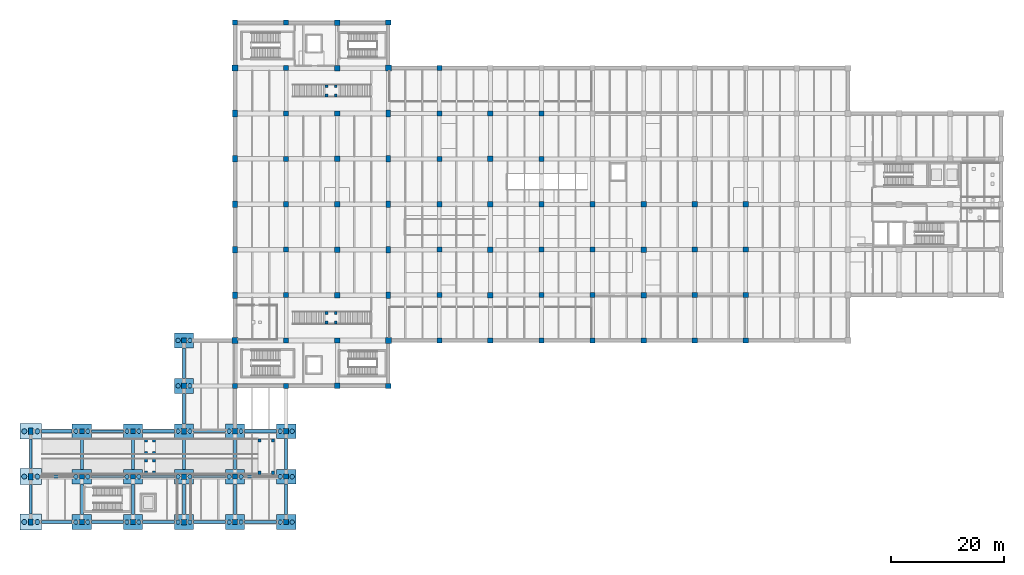
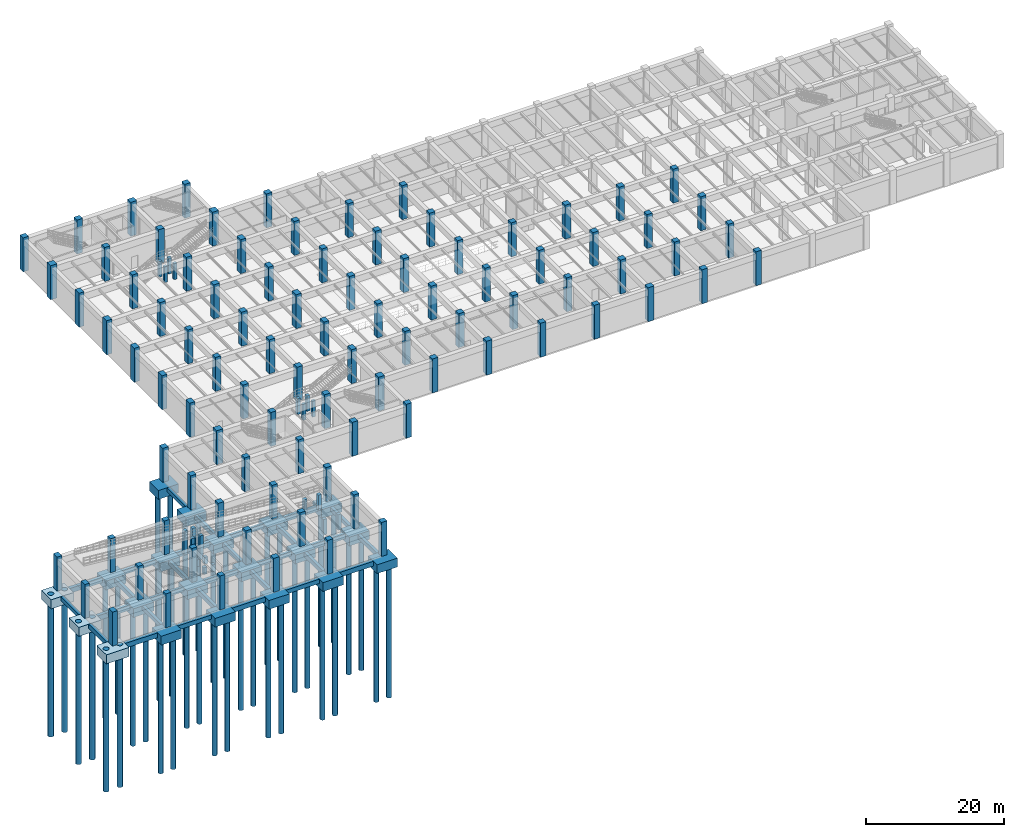
# One storey, part 1 of 20: 111 columns, 49 footings, 40 piles.
"""IFC4 building model written with IfcOpenShell, lengths in metres."""

from ifc_helpers import new_model, si_unit, derived_unit, direction, frame, origin, origin_2d, place, context, subcontext, project, spatial, rectangle, circle, extrude, material, material_profile, profile_set, type_object, element, save


model = new_model("IFC4")

# Units and contexts
model_context = context("Model", 3, precision=1e-05, world=origin(), true_north=direction((0.0, 1.0)))
body_context = subcontext(model_context, "Body", "Model", "MODEL_VIEW")
ifc_project = project(units=[si_unit("LENGTHUNIT", "METRE"), si_unit("AREAUNIT", "SQUARE_METRE"), si_unit("VOLUMEUNIT", "CUBIC_METRE"), si_unit("PLANEANGLEUNIT", "RADIAN"), si_unit("MASSUNIT", "GRAM", prefix="KILO"), derived_unit("THERMALTRANSMITTANCEUNIT", [(si_unit("MASSUNIT", "GRAM", prefix="KILO"), 1), (si_unit("TIMEUNIT", "SECOND"), -3), (si_unit("THERMODYNAMICTEMPERATUREUNIT", "KELVIN"), -1)])], contexts=[model_context])

# Site, building, storey
site_placement = place(None, origin())
site = spatial("IfcSite", under=ifc_project, at=site_placement, CompositionType="ELEMENT")
building_placement = place(site_placement, origin())
building = spatial("IfcBuilding", under=site, at=building_placement, Name="Zhenchuan Archway Interchange", CompositionType="ELEMENT")
storey_placement = place(building_placement, frame((0.0, 0.0, -6.0)))
storey = spatial("IfcBuildingStorey", under=building, at=storey_placement, Name="B1", CompositionType="ELEMENT", Elevation=-6.0)

# Footings
ifc_material_1 = material(Name="Concrete C40", Category="concrete")
ifc_material_profile_1 = material_profile(ifc_material_1, rectangle(XDim=0.550048828125, YDim=0.85009765625, at=origin_2d()), Name="RC 550x850")
ifc_profile_set_1 = profile_set([ifc_material_profile_1], Name="Concrete C40")
footing_type_1 = type_object("IfcFootingType", Name="FB_GROUND_3", PredefinedType="FOOTING_BEAM", material=ifc_profile_set_1)
footing_1_placement = place(storey_placement, frame((1.89990234375, 0.0, -0.925048828125), z_axis=(1.0, 0.0, 0.0), x_axis=(0.0, 1.0, 0.0)))
element("IfcFooting", 1, at=footing_1_placement, inside=storey, type_object=footing_type_1, Name="Ground tie beam A:1-2 (B1)", PredefinedType="FOOTING_BEAM", context=body_context, shape_type="SweptSolid", body=[
    extrude(rectangle(XDim=0.550048828125, YDim=0.85009765625, at=origin_2d()), origin(), (0.0, 0.0, 1.0), 5.400146484375),
])
for number, where, z_axis, x_axis, name in (
    (2, (19.699951171875, 0.0, -0.925048828125), (1.0, 0.0, 0.0), (0.0, 1.0, 0.0), "Ground tie beam A:3-4 (B1)"),
    (3, (37.699951171875, 0.0, -0.925048828125), (1.0, 0.0, 0.0), (0.0, 1.0, 0.0), "Ground tie beam A:5-6 (B1)"),
):
    element("IfcFooting", number, at=place(storey_placement, frame(where, z_axis=z_axis, x_axis=x_axis)), inside=storey, type_object=footing_type_1, Name=name, PredefinedType="FOOTING_BEAM", context=body_context, shape_type="SweptSolid", body=[
        extrude(rectangle(XDim=0.550048828125, YDim=0.85009765625, at=origin_2d()), origin(), (0.0, 0.0, 1.0), 5.60009765625),
    ])
footing_2_placement = place(storey_placement, frame((1.89990234375, 8.0, -0.925048828125), z_axis=(1.0, 0.0, 0.0), x_axis=(0.0, 1.0, 0.0)))
element("IfcFooting", 4, at=footing_2_placement, inside=storey, type_object=footing_type_1, Name="Ground tie beam B:1-2 (B1)", PredefinedType="FOOTING_BEAM", context=body_context, shape_type="SweptSolid", body=[
    extrude(rectangle(XDim=0.550048828125, YDim=0.85009765625, at=origin_2d()), origin(), (0.0, 0.0, 1.0), 5.400146484375),
])
for number, where, z_axis, x_axis, name in (
    (5, (19.699951171875, 8.0, -0.925048828125), (1.0, 0.0, 0.0), (0.0, 1.0, 0.0), "Ground tie beam B:3-4 (B1)"),
    (6, (37.699951171875, 8.0, -0.925048828125), (1.0, 0.0, 0.0), (0.0, 1.0, 0.0), "Ground tie beam B:5-6 (B1)"),
):
    element("IfcFooting", number, at=place(storey_placement, frame(where, z_axis=z_axis, x_axis=x_axis)), inside=storey, type_object=footing_type_1, Name=name, PredefinedType="FOOTING_BEAM", context=body_context, shape_type="SweptSolid", body=[
        extrude(rectangle(XDim=0.550048828125, YDim=0.85009765625, at=origin_2d()), origin(), (0.0, 0.0, 1.0), 5.60009765625),
    ])
footing_3_placement = place(storey_placement, frame((1.89990234375, 16.0, -0.925048828125), z_axis=(1.0, 0.0, 0.0), x_axis=(0.0, 1.0, 0.0)))
element("IfcFooting", 7, at=footing_3_placement, inside=storey, type_object=footing_type_1, Name="Ground tie beam C:1-2 (B1)", PredefinedType="FOOTING_BEAM", context=body_context, shape_type="SweptSolid", body=[
    extrude(rectangle(XDim=0.550048828125, YDim=0.85009765625, at=origin_2d()), origin(), (0.0, 0.0, 1.0), 5.400146484375),
])
for number, where, z_axis, x_axis, name in (
    (8, (19.699951171875, 16.0, -0.925048828125), (1.0, 0.0, 0.0), (0.0, 1.0, 0.0), "Ground tie beam C:3-4 (B1)"),
    (9, (37.699951171875, 16.0, -0.925048828125), (1.0, 0.0, 0.0), (0.0, 1.0, 0.0), "Ground tie beam C:5-6 (B1)"),
):
    element("IfcFooting", number, at=place(storey_placement, frame(where, z_axis=z_axis, x_axis=x_axis)), inside=storey, type_object=footing_type_1, Name=name, PredefinedType="FOOTING_BEAM", context=body_context, shape_type="SweptSolid", body=[
        extrude(rectangle(XDim=0.550048828125, YDim=0.85009765625, at=origin_2d()), origin(), (0.0, 0.0, 1.0), 5.60009765625),
    ])
ifc_material_profile_2 = material_profile(ifc_material_1, rectangle(XDim=0.5, YDim=0.75, at=origin_2d()), Name="RC 500x750")
ifc_profile_set_2 = profile_set([ifc_material_profile_2], Name="Concrete C40")
footing_type_2 = type_object("IfcFootingType", Name="FB_GROUND_4", PredefinedType="FOOTING_BEAM", material=ifc_profile_set_2)
for number, where, z_axis, x_axis, name in (
    (10, (10.699951171875, 0.0, -0.875), (1.0, 0.0, 0.0), (0.0, 1.0, 0.0), "Ground tie beam A:2-3 (B1)"),
    (11, (28.699951171875, 0.0, -0.875), (1.0, 0.0, 0.0), (0.0, 1.0, 0.0), "Ground tie beam A:4-5 (B1)"),
    (12, (10.699951171875, 8.0, -0.875), (1.0, 0.0, 0.0), (0.0, 1.0, 0.0), "Ground tie beam B:2-3 (B1)"),
    (13, (28.699951171875, 8.0, -0.875), (1.0, 0.0, 0.0), (0.0, 1.0, 0.0), "Ground tie beam B:4-5 (B1)"),
    (14, (10.699951171875, 16.0, -0.875), (1.0, 0.0, 0.0), (0.0, 1.0, 0.0), "Ground tie beam C:2-3 (B1)"),
    (15, (28.699951171875, 16.0, -0.875), (1.0, 0.0, 0.0), (0.0, 1.0, 0.0), "Ground tie beam C:4-5 (B1)"),
):
    element("IfcFooting", number, at=place(storey_placement, frame(where, z_axis=z_axis, x_axis=x_axis)), inside=storey, type_object=footing_type_2, Name=name, PredefinedType="FOOTING_BEAM", context=body_context, shape_type="SweptSolid", body=[
        extrude(rectangle(XDim=0.5, YDim=0.75, at=origin_2d()), origin(), (0.0, 0.0, 1.0), 5.60009765625),
    ])
for number, where, z_axis, x_axis, name in (
    (16, (0.0, 1.39990234375, -0.875), (0.0, 1.0, 0.0), (-1.0, 0.0, 0.0), "Ground tie beam 1:A-B (B1)"),
    (17, (0.0, 9.39990234375, -0.875), (0.0, 1.0, 0.0), (-1.0, 0.0, 0.0), "Ground tie beam 1:B-C (B1)"),
):
    element("IfcFooting", number, at=place(storey_placement, frame(where, z_axis=z_axis, x_axis=x_axis)), inside=storey, type_object=footing_type_2, Name=name, PredefinedType="FOOTING_BEAM", context=body_context, shape_type="SweptSolid", body=[
        extrude(rectangle(XDim=0.5, YDim=0.75, at=origin_2d()), origin(), (0.0, 0.0, 1.0), 5.2001953125),
    ])
for number, where, z_axis, x_axis, name in (
    (18, (9.0, 1.300048828125, -0.875), (0.0, 1.0, 0.0), (-1.0, 0.0, 0.0), "Ground tie beam 2:A-B (B1)"),
    (19, (9.0, 9.300048828125, -0.875), (0.0, 1.0, 0.0), (-1.0, 0.0, 0.0), "Ground tie beam 2:B-C (B1)"),
    (20, (18.0, 1.300048828125, -0.875), (0.0, 1.0, 0.0), (-1.0, 0.0, 0.0), "Ground tie beam 3:A-B (B1)"),
    (21, (18.0, 9.300048828125, -0.875), (0.0, 1.0, 0.0), (-1.0, 0.0, 0.0), "Ground tie beam 3:B-C (B1)"),
    (22, (27.0, 1.300048828125, -0.875), (0.0, 1.0, 0.0), (-1.0, 0.0, 0.0), "Ground tie beam 4:A-B (B1)"),
    (23, (27.0, 9.300048828125, -0.875), (0.0, 1.0, 0.0), (-1.0, 0.0, 0.0), "Ground tie beam 4:B-C (B1)"),
    (24, (27.0, 17.300048828125, -0.875), (0.0, 1.0, 0.0), (-1.0, 0.0, 0.0), "Ground tie beam 4:C-D (B1)"),
    (25, (27.0, 25.300048828125, -0.875), (0.0, 1.0, 0.0), (-1.0, 0.0, 0.0), "Ground tie beam 4:D-E (B1)"),
    (26, (36.0, 1.300048828125, -0.875), (0.0, 1.0, 0.0), (-1.0, 0.0, 0.0), "Ground tie beam 5:A-B (B1)"),
    (27, (36.0, 9.300048828125, -0.875), (0.0, 1.0, 0.0), (-1.0, 0.0, 0.0), "Ground tie beam 5:B-C (B1)"),
    (28, (45.0, 1.300048828125, -0.875), (0.0, 1.0, 0.0), (-1.0, 0.0, 0.0), "Ground tie beam 6:A-B (B1)"),
    (29, (45.0, 9.300048828125, -0.875), (0.0, 1.0, 0.0), (-1.0, 0.0, 0.0), "Ground tie beam 6:B-C (B1)"),
):
    element("IfcFooting", number, at=place(storey_placement, frame(where, z_axis=z_axis, x_axis=x_axis)), inside=storey, type_object=footing_type_2, Name=name, PredefinedType="FOOTING_BEAM", context=body_context, shape_type="SweptSolid", body=[
        extrude(rectangle(XDim=0.5, YDim=0.75, at=origin_2d()), origin(), (0.0, 0.0, 1.0), 5.39990234375),
    ])
footing_type_3 = type_object("IfcFootingType", Name="PC_P_34x26", PredefinedType="PILE_CAP", material=ifc_material_1)
for number, where, z_axis, x_axis, name in (
    (30, (9.0, 0.0, -2.0498046875), (0.0, 0.0, 1.0), (1.0, 0.0, 0.0), "Pile cap PC-11 at 2/A (B1)"),
    (31, (9.0, 8.0, -2.0498046875), (0.0, 0.0, 1.0), (1.0, 0.0, 0.0), "Pile cap PC-11 at 2/B (B1)"),
    (32, (9.0, 16.0, -2.0498046875), (0.0, 0.0, 1.0), (1.0, 0.0, 0.0), "Pile cap PC-11 at 2/C (B1)"),
    (33, (18.0, 0.0, -2.0498046875), (0.0, 0.0, 1.0), (1.0, 0.0, 0.0), "Pile cap PC-11 at 3/A (B1)"),
    (34, (18.0, 8.0, -2.0498046875), (0.0, 0.0, 1.0), (1.0, 0.0, 0.0), "Pile cap PC-11 at 3/B (B1)"),
    (35, (18.0, 16.0, -2.0498046875), (0.0, 0.0, 1.0), (1.0, 0.0, 0.0), "Pile cap PC-11 at 3/C (B1)"),
    (36, (27.0, 0.0, -2.0498046875), (0.0, 0.0, 1.0), (1.0, 0.0, 0.0), "Pile cap PC-11 at 4/A (B1)"),
    (37, (27.0, 8.0, -2.0498046875), (0.0, 0.0, 1.0), (1.0, 0.0, 0.0), "Pile cap PC-11 at 4/B (B1)"),
    (38, (27.0, 16.0, -2.0498046875), (0.0, 0.0, 1.0), (1.0, 0.0, 0.0), "Pile cap PC-11 at 4/C (B1)"),
    (39, (27.0, 24.0, -2.0498046875), (0.0, 0.0, 1.0), (1.0, 0.0, 0.0), "Pile cap PC-11 at 4/D (B1)"),
    (40, (27.0, 32.0, -2.0498046875), (0.0, 0.0, 1.0), (1.0, 0.0, 0.0), "Pile cap PC-11 at 4/E (B1)"),
    (41, (36.0, 0.0, -2.0498046875), (0.0, 0.0, 1.0), (1.0, 0.0, 0.0), "Pile cap PC-11 at 5/A (B1)"),
    (42, (36.0, 8.0, -2.0498046875), (0.0, 0.0, 1.0), (1.0, 0.0, 0.0), "Pile cap PC-11 at 5/B (B1)"),
    (43, (36.0, 16.0, -2.0498046875), (0.0, 0.0, 1.0), (1.0, 0.0, 0.0), "Pile cap PC-11 at 5/C (B1)"),
    (44, (45.0, 0.0, -2.0498046875), (0.0, 0.0, 1.0), (1.0, 0.0, 0.0), "Pile cap PC-11 at 6/A (B1)"),
    (45, (45.0, 8.0, -2.0498046875), (0.0, 0.0, 1.0), (1.0, 0.0, 0.0), "Pile cap PC-11 at 6/B (B1)"),
    (46, (45.0, 16.0, -2.0498046875), (0.0, 0.0, 1.0), (1.0, 0.0, 0.0), "Pile cap PC-11 at 6/C (B1)"),
):
    element("IfcFooting", number, at=place(storey_placement, frame(where, z_axis=z_axis, x_axis=x_axis)), inside=storey, type_object=footing_type_3, Name=name, PredefinedType="PILE_CAP", context=body_context, shape_type="SweptSolid", body=[
        extrude(rectangle(XDim=3.39990234375, YDim=2.60009765625, at=origin_2d()), origin(), (0.0, 0.0, 1.0), 1.550048828125),
    ])
footing_type_4 = type_object("IfcFootingType", Name="PC_P_38x28", PredefinedType="PILE_CAP", material=ifc_material_1)
for number, where, z_axis, x_axis, name in (
    (47, (0.0, 0.0, -2.10009765625), (0.0, 0.0, 1.0), (1.0, 0.0, 0.0), "Pile cap PC-10 at 1/A (B1)"),
    (48, (0.0, 8.0, -2.10009765625), (0.0, 0.0, 1.0), (1.0, 0.0, 0.0), "Pile cap PC-10 at 1/B (B1)"),
    (49, (0.0, 16.0, -2.10009765625), (0.0, 0.0, 1.0), (1.0, 0.0, 0.0), "Pile cap PC-10 at 1/C (B1)"),
):
    element("IfcFooting", number, at=place(storey_placement, frame(where, z_axis=z_axis, x_axis=x_axis)), inside=storey, type_object=footing_type_4, Name=name, PredefinedType="PILE_CAP", context=body_context, shape_type="SweptSolid", body=[
        extrude(rectangle(XDim=3.800048828125, YDim=2.800048828125, at=origin_2d()), origin(), (0.0, 0.0, 1.0), 1.60009765625),
    ])

# Piles
ifc_material_2 = material(Name="Concrete C35", Category="concrete")
ifc_material_profile_3 = material_profile(ifc_material_2, circle(Radius=0.39990234375, at=origin_2d()), Name="BORED PILE 800")
ifc_profile_set_3 = profile_set([ifc_material_profile_3], Name="Concrete C35")
pile_type_1 = type_object("IfcPileType", Name="PILE_D800", PredefinedType="BORED", material=ifc_profile_set_3)
for number, where, z_axis, x_axis, name in (
    (50, (7.949951171875, 0.0, -0.5), (0.0, 0.0, -1.0), (1.0, 0.0, 0.0), "Bored pile at 2/A #1 (B1)"),
    (51, (10.050048828125, 0.0, -0.5), (0.0, 0.0, -1.0), (1.0, 0.0, 0.0), "Bored pile at 2/A #2 (B1)"),
    (52, (7.949951171875, 8.0, -0.5), (0.0, 0.0, -1.0), (1.0, 0.0, 0.0), "Bored pile at 2/B #1 (B1)"),
    (53, (10.050048828125, 8.0, -0.5), (0.0, 0.0, -1.0), (1.0, 0.0, 0.0), "Bored pile at 2/B #2 (B1)"),
    (54, (7.949951171875, 16.0, -0.5), (0.0, 0.0, -1.0), (1.0, 0.0, 0.0), "Bored pile at 2/C #1 (B1)"),
    (55, (10.050048828125, 16.0, -0.5), (0.0, 0.0, -1.0), (1.0, 0.0, 0.0), "Bored pile at 2/C #2 (B1)"),
    (56, (16.949951171875, 0.0, -0.5), (0.0, 0.0, -1.0), (1.0, 0.0, 0.0), "Bored pile at 3/A #1 (B1)"),
    (57, (19.050048828125, 0.0, -0.5), (0.0, 0.0, -1.0), (1.0, 0.0, 0.0), "Bored pile at 3/A #2 (B1)"),
    (58, (16.949951171875, 8.0, -0.5), (0.0, 0.0, -1.0), (1.0, 0.0, 0.0), "Bored pile at 3/B #1 (B1)"),
    (59, (19.050048828125, 8.0, -0.5), (0.0, 0.0, -1.0), (1.0, 0.0, 0.0), "Bored pile at 3/B #2 (B1)"),
    (60, (16.949951171875, 16.0, -0.5), (0.0, 0.0, -1.0), (1.0, 0.0, 0.0), "Bored pile at 3/C #1 (B1)"),
    (61, (19.050048828125, 16.0, -0.5), (0.0, 0.0, -1.0), (1.0, 0.0, 0.0), "Bored pile at 3/C #2 (B1)"),
    (62, (25.949951171875, 0.0, -0.5), (0.0, 0.0, -1.0), (1.0, 0.0, 0.0), "Bored pile at 4/A #1 (B1)"),
    (63, (28.050048828125, 0.0, -0.5), (0.0, 0.0, -1.0), (1.0, 0.0, 0.0), "Bored pile at 4/A #2 (B1)"),
    (64, (25.949951171875, 8.0, -0.5), (0.0, 0.0, -1.0), (1.0, 0.0, 0.0), "Bored pile at 4/B #1 (B1)"),
    (65, (28.050048828125, 8.0, -0.5), (0.0, 0.0, -1.0), (1.0, 0.0, 0.0), "Bored pile at 4/B #2 (B1)"),
    (66, (25.949951171875, 16.0, -0.5), (0.0, 0.0, -1.0), (1.0, 0.0, 0.0), "Bored pile at 4/C #1 (B1)"),
    (67, (28.050048828125, 16.0, -0.5), (0.0, 0.0, -1.0), (1.0, 0.0, 0.0), "Bored pile at 4/C #2 (B1)"),
    (68, (25.949951171875, 24.0, -0.5), (0.0, 0.0, -1.0), (1.0, 0.0, 0.0), "Bored pile at 4/D #1 (B1)"),
    (69, (28.050048828125, 24.0, -0.5), (0.0, 0.0, -1.0), (1.0, 0.0, 0.0), "Bored pile at 4/D #2 (B1)"),
    (70, (25.949951171875, 32.0, -0.5), (0.0, 0.0, -1.0), (1.0, 0.0, 0.0), "Bored pile at 4/E #1 (B1)"),
    (71, (28.050048828125, 32.0, -0.5), (0.0, 0.0, -1.0), (1.0, 0.0, 0.0), "Bored pile at 4/E #2 (B1)"),
    (72, (34.949951171875, 0.0, -0.5), (0.0, 0.0, -1.0), (1.0, 0.0, 0.0), "Bored pile at 5/A #1 (B1)"),
    (73, (37.050048828125, 0.0, -0.5), (0.0, 0.0, -1.0), (1.0, 0.0, 0.0), "Bored pile at 5/A #2 (B1)"),
    (74, (34.949951171875, 8.0, -0.5), (0.0, 0.0, -1.0), (1.0, 0.0, 0.0), "Bored pile at 5/B #1 (B1)"),
    (75, (37.050048828125, 8.0, -0.5), (0.0, 0.0, -1.0), (1.0, 0.0, 0.0), "Bored pile at 5/B #2 (B1)"),
    (76, (34.949951171875, 16.0, -0.5), (0.0, 0.0, -1.0), (1.0, 0.0, 0.0), "Bored pile at 5/C #1 (B1)"),
    (77, (37.050048828125, 16.0, -0.5), (0.0, 0.0, -1.0), (1.0, 0.0, 0.0), "Bored pile at 5/C #2 (B1)"),
    (78, (43.949951171875, 0.0, -0.5), (0.0, 0.0, -1.0), (1.0, 0.0, 0.0), "Bored pile at 6/A #1 (B1)"),
    (79, (46.050048828125, 0.0, -0.5), (0.0, 0.0, -1.0), (1.0, 0.0, 0.0), "Bored pile at 6/A #2 (B1)"),
    (80, (43.949951171875, 8.0, -0.5), (0.0, 0.0, -1.0), (1.0, 0.0, 0.0), "Bored pile at 6/B #1 (B1)"),
    (81, (46.050048828125, 8.0, -0.5), (0.0, 0.0, -1.0), (1.0, 0.0, 0.0), "Bored pile at 6/B #2 (B1)"),
    (82, (43.949951171875, 16.0, -0.5), (0.0, 0.0, -1.0), (1.0, 0.0, 0.0), "Bored pile at 6/C #1 (B1)"),
    (83, (46.050048828125, 16.0, -0.5), (0.0, 0.0, -1.0), (1.0, 0.0, 0.0), "Bored pile at 6/C #2 (B1)"),
):
    element("IfcPile", number, at=place(storey_placement, frame(where, z_axis=z_axis, x_axis=x_axis)), inside=storey, type_object=pile_type_1, Name=name, PredefinedType="BORED", context=body_context, shape_type="SweptSolid", body=[
        extrude(circle(Radius=0.39990234375, at=origin_2d()), origin(), (0.0, 0.0, 1.0), 25.0),
    ])
ifc_material_profile_4 = material_profile(ifc_material_2, circle(Radius=0.449951171875, at=origin_2d()), Name="BORED PILE 900")
ifc_profile_set_4 = profile_set([ifc_material_profile_4], Name="Concrete C35")
pile_type_2 = type_object("IfcPileType", Name="PILE_D900", PredefinedType="BORED", material=ifc_profile_set_4)
for number, where, z_axis, x_axis, name in (
    (84, (-1.14990234375, 0.0, -0.5), (0.0, 0.0, -1.0), (1.0, 0.0, 0.0), "Bored pile at 1/A #1 (B1)"),
    (85, (1.14990234375, 0.0, -0.5), (0.0, 0.0, -1.0), (1.0, 0.0, 0.0), "Bored pile at 1/A #2 (B1)"),
    (86, (-1.14990234375, 8.0, -0.5), (0.0, 0.0, -1.0), (1.0, 0.0, 0.0), "Bored pile at 1/B #1 (B1)"),
    (87, (1.14990234375, 8.0, -0.5), (0.0, 0.0, -1.0), (1.0, 0.0, 0.0), "Bored pile at 1/B #2 (B1)"),
    (88, (-1.14990234375, 16.0, -0.5), (0.0, 0.0, -1.0), (1.0, 0.0, 0.0), "Bored pile at 1/C #1 (B1)"),
    (89, (1.14990234375, 16.0, -0.5), (0.0, 0.0, -1.0), (1.0, 0.0, 0.0), "Bored pile at 1/C #2 (B1)"),
):
    element("IfcPile", number, at=place(storey_placement, frame(where, z_axis=z_axis, x_axis=x_axis)), inside=storey, type_object=pile_type_2, Name=name, PredefinedType="BORED", context=body_context, shape_type="SweptSolid", body=[
        extrude(circle(Radius=0.449951171875, at=origin_2d()), origin(), (0.0, 0.0, 1.0), 25.0),
    ])

# Columns
ifc_material_3 = material(Name="Concrete C50", Category="concrete")
ifc_material_profile_5 = material_profile(ifc_material_3, rectangle(XDim=1.050048828125, YDim=1.050048828125, at=origin_2d()), Name="RC 1050x1050")
ifc_profile_set_5 = profile_set([ifc_material_profile_5], Name="Concrete C50")
column_type_1 = type_object("IfcColumnType", Name="COL_RC_1050", PredefinedType="COLUMN", material=ifc_profile_set_5)
for number, where, z_axis, x_axis, name in (
    (90, (36.0, 32.0, 0.0), (0.0, 0.0, 1.0), (1.0, 0.0, 0.0), "Column 5/E (B1)"),
    (91, (36.0, 80.0, 0.0), (0.0, 0.0, 1.0), (1.0, 0.0, 0.0), "Column 5/L (B1)"),
    (92, (63.0, 32.0, 0.0), (0.0, 0.0, 1.0), (1.0, 0.0, 0.0), "Column 8/E (B1)"),
    (93, (63.0, 80.0, 0.0), (0.0, 0.0, 1.0), (1.0, 0.0, 0.0), "Column 8/L (B1)"),
):
    element("IfcColumn", number, at=place(storey_placement, frame(where, z_axis=z_axis, x_axis=x_axis)), inside=storey, type_object=column_type_1, Name=name, PredefinedType="COLUMN", context=body_context, shape_type="SweptSolid", body=[
        extrude(rectangle(XDim=1.050048828125, YDim=1.050048828125, at=origin_2d()), origin(), (0.0, 0.0, 1.0), 6.0),
    ])
ifc_material_profile_6 = material_profile(ifc_material_1, rectangle(XDim=0.5, YDim=0.5, at=origin_2d()), Name="RC 500x500")
ifc_profile_set_6 = profile_set([ifc_material_profile_6], Name="Concrete C40")
column_type_2 = type_object("IfcColumnType", Name="COL_RC_500_LND", PredefinedType="COLUMN", material=ifc_profile_set_6)
for number, where, z_axis, x_axis, name in (
    (94, (52.1298828125, 35.175048828125, 0.0), (0.0, 0.0, 1.0), (1.0, 0.0, 0.0), "Stair ST-P3 landing support column 1"),
    (95, (53.72998046875, 35.175048828125, 0.0), (0.0, 0.0, 1.0), (1.0, 0.0, 0.0), "Stair ST-P3 landing support column 2"),
    (96, (52.1298828125, 36.824951171875, 0.0), (0.0, 0.0, 1.0), (1.0, 0.0, 0.0), "Stair ST-P3 landing support column 3"),
    (97, (53.72998046875, 36.824951171875, 0.0), (0.0, 0.0, 1.0), (1.0, 0.0, 0.0), "Stair ST-P3 landing support column 4"),
    (98, (52.1298828125, 75.199951171875, 0.0), (0.0, 0.0, 1.0), (1.0, 0.0, 0.0), "Stair ST-P4 landing support column 1"),
    (99, (53.72998046875, 75.199951171875, 0.0), (0.0, 0.0, 1.0), (1.0, 0.0, 0.0), "Stair ST-P4 landing support column 2"),
    (100, (52.1298828125, 76.800048828125, 0.0), (0.0, 0.0, 1.0), (1.0, 0.0, 0.0), "Stair ST-P4 landing support column 3"),
    (101, (53.72998046875, 76.800048828125, 0.0), (0.0, 0.0, 1.0), (1.0, 0.0, 0.0), "Stair ST-P4 landing support column 4"),
):
    element("IfcColumn", number, at=place(storey_placement, frame(where, z_axis=z_axis, x_axis=x_axis)), inside=storey, type_object=column_type_2, Name=name, PredefinedType="COLUMN", context=body_context, shape_type="SweptSolid", body=[
        extrude(rectangle(XDim=0.5, YDim=0.5, at=origin_2d()), origin(), (0.0, 0.0, 1.0), 2.780029296875),
    ])
ifc_material_profile_7 = material_profile(ifc_material_1, rectangle(XDim=0.550048828125, YDim=0.550048828125, at=origin_2d()), Name="RC 550x550")
ifc_profile_set_7 = profile_set([ifc_material_profile_7], Name="Concrete C40")
column_type_3 = type_object("IfcColumnType", Name="COL_RC_550_LND", PredefinedType="COLUMN", material=ifc_profile_set_7)
for number, where, z_axis, x_axis, name in (
    (102, (20.300048828125, 8.699951171875, 0.0), (0.0, 0.0, 1.0), (1.0, 0.0, 0.0), "Cycle ramp landing 1 column 1"),
    (103, (21.699951171875, 8.699951171875, 0.0), (0.0, 0.0, 1.0), (1.0, 0.0, 0.0), "Cycle ramp landing 1 column 2"),
    (104, (20.300048828125, 10.89990234375, 0.0), (0.0, 0.0, 1.0), (1.0, 0.0, 0.0), "Cycle ramp landing 1 column 3"),
    (105, (21.699951171875, 10.89990234375, 0.0), (0.0, 0.0, 1.0), (1.0, 0.0, 0.0), "Cycle ramp landing 1 column 4"),
):
    element("IfcColumn", number, at=place(storey_placement, frame(where, z_axis=z_axis, x_axis=x_axis)), inside=storey, type_object=column_type_3, Name=name, PredefinedType="COLUMN", context=body_context, shape_type="SweptSolid", body=[
        extrude(rectangle(XDim=0.550048828125, YDim=0.550048828125, at=origin_2d()), origin(), (0.0, 0.0, 1.0), 1.219970703125),
    ])
for number, where, z_axis, x_axis, name in (
    (106, (40.300048828125, 8.699951171875, 0.0), (0.0, 0.0, 1.0), (1.0, 0.0, 0.0), "Cycle ramp landing 2 column 1"),
    (107, (42.699951171875, 8.699951171875, 0.0), (0.0, 0.0, 1.0), (1.0, 0.0, 0.0), "Cycle ramp landing 2 column 2"),
    (108, (40.300048828125, 14.39990234375, 0.0), (0.0, 0.0, 1.0), (1.0, 0.0, 0.0), "Cycle ramp landing 2 column 3"),
    (109, (42.699951171875, 14.39990234375, 0.0), (0.0, 0.0, 1.0), (1.0, 0.0, 0.0), "Cycle ramp landing 2 column 4"),
):
    element("IfcColumn", number, at=place(storey_placement, frame(where, z_axis=z_axis, x_axis=x_axis)), inside=storey, type_object=column_type_3, Name=name, PredefinedType="COLUMN", context=body_context, shape_type="SweptSolid", body=[
        extrude(rectangle(XDim=0.550048828125, YDim=0.550048828125, at=origin_2d()), origin(), (0.0, 0.0, 1.0), 2.719970703125),
    ])
for number, where, z_axis, x_axis, name in (
    (110, (20.300048828125, 12.199951171875, 0.0), (0.0, 0.0, 1.0), (1.0, 0.0, 0.0), "Cycle ramp landing 3 column 1"),
    (111, (21.699951171875, 12.199951171875, 0.0), (0.0, 0.0, 1.0), (1.0, 0.0, 0.0), "Cycle ramp landing 3 column 2"),
    (112, (20.300048828125, 14.39990234375, 0.0), (0.0, 0.0, 1.0), (1.0, 0.0, 0.0), "Cycle ramp landing 3 column 3"),
    (113, (21.699951171875, 14.39990234375, 0.0), (0.0, 0.0, 1.0), (1.0, 0.0, 0.0), "Cycle ramp landing 3 column 4"),
):
    element("IfcColumn", number, at=place(storey_placement, frame(where, z_axis=z_axis, x_axis=x_axis)), inside=storey, type_object=column_type_3, Name=name, PredefinedType="COLUMN", context=body_context, shape_type="SweptSolid", body=[
        extrude(rectangle(XDim=0.550048828125, YDim=0.550048828125, at=origin_2d()), origin(), (0.0, 0.0, 1.0), 4.219970703125),
    ])
ifc_material_profile_8 = material_profile(ifc_material_3, rectangle(XDim=0.800048828125, YDim=1.10009765625, at=origin_2d()), Name="RC 800x1100")
ifc_profile_set_8 = profile_set([ifc_material_profile_8], Name="Concrete C50")
column_type_4 = type_object("IfcColumnType", Name="COL_RC_800x1100", PredefinedType="COLUMN", material=ifc_profile_set_8)
for number, where, z_axis, x_axis, name in (
    (114, (0.0, 0.0, 0.0), (0.0, 0.0, 1.0), (1.0, 0.0, 0.0), "Column 1/A (B1)"),
    (115, (0.0, 8.0, 0.0), (0.0, 0.0, 1.0), (1.0, 0.0, 0.0), "Column 1/B (B1)"),
    (116, (0.0, 16.0, 0.0), (0.0, 0.0, 1.0), (1.0, 0.0, 0.0), "Column 1/C (B1)"),
):
    element("IfcColumn", number, at=place(storey_placement, frame(where, z_axis=z_axis, x_axis=x_axis)), inside=storey, type_object=column_type_4, Name=name, PredefinedType="COLUMN", context=body_context, shape_type="SweptSolid", body=[
        extrude(rectangle(XDim=0.800048828125, YDim=1.10009765625, at=origin_2d()), origin(), (0.0, 0.0, 1.0), 6.0),
    ])
ifc_material_profile_9 = material_profile(ifc_material_1, rectangle(XDim=0.85009765625, YDim=0.85009765625, at=origin_2d()), Name="RC 850x850")
ifc_profile_set_9 = profile_set([ifc_material_profile_9], Name="Concrete C40")
column_type_5 = type_object("IfcColumnType", Name="COL_RC_850", PredefinedType="COLUMN", material=ifc_profile_set_9)
for number, where, z_axis, x_axis, name in (
    (117, (9.0, 0.0, 0.0), (0.0, 0.0, 1.0), (1.0, 0.0, 0.0), "Column 2/A (B1)"),
    (118, (9.0, 8.0, 0.0), (0.0, 0.0, 1.0), (1.0, 0.0, 0.0), "Column 2/B (B1)"),
    (119, (9.0, 16.0, 0.0), (0.0, 0.0, 1.0), (1.0, 0.0, 0.0), "Column 2/C (B1)"),
    (120, (18.0, 0.0, 0.0), (0.0, 0.0, 1.0), (1.0, 0.0, 0.0), "Column 3/A (B1)"),
    (121, (18.0, 8.0, 0.0), (0.0, 0.0, 1.0), (1.0, 0.0, 0.0), "Column 3/B (B1)"),
    (122, (18.0, 16.0, 0.0), (0.0, 0.0, 1.0), (1.0, 0.0, 0.0), "Column 3/C (B1)"),
):
    element("IfcColumn", number, at=place(storey_placement, frame(where, z_axis=z_axis, x_axis=x_axis)), inside=storey, type_object=column_type_5, Name=name, PredefinedType="COLUMN", context=body_context, shape_type="SweptSolid", body=[
        extrude(rectangle(XDim=0.85009765625, YDim=0.85009765625, at=origin_2d()), origin(), (0.0, 0.0, 1.0), 6.0),
    ])
ifc_material_profile_10 = material_profile(ifc_material_3, rectangle(XDim=0.85009765625, YDim=1.14990234375, at=origin_2d()), Name="RC 850x1150")
ifc_profile_set_10 = profile_set([ifc_material_profile_10], Name="Concrete C50")
column_type_6 = type_object("IfcColumnType", Name="COL_RC_850x1150", PredefinedType="COLUMN", material=ifc_profile_set_10)
for number, where, z_axis, x_axis, name in (
    (123, (36.0, 40.0, 0.0), (0.0, 0.0, 1.0), (1.0, 0.0, 0.0), "Column 5/F (B1)"),
    (124, (36.0, 48.0, 0.0), (0.0, 0.0, 1.0), (1.0, 0.0, 0.0), "Column 5/G (B1)"),
    (125, (36.0, 56.0, 0.0), (0.0, 0.0, 1.0), (1.0, 0.0, 0.0), "Column 5/H (B1)"),
    (126, (36.0, 64.0, 0.0), (0.0, 0.0, 1.0), (1.0, 0.0, 0.0), "Column 5/J (B1)"),
    (127, (36.0, 72.0, 0.0), (0.0, 0.0, 1.0), (1.0, 0.0, 0.0), "Column 5/K (B1)"),
    (128, (63.0, 40.0, 0.0), (0.0, 0.0, 1.0), (1.0, 0.0, 0.0), "Column 8/F (B1)"),
    (129, (63.0, 48.0, 0.0), (0.0, 0.0, 1.0), (1.0, 0.0, 0.0), "Column 8/G (B1)"),
    (130, (63.0, 56.0, 0.0), (0.0, 0.0, 1.0), (1.0, 0.0, 0.0), "Column 8/H (B1)"),
    (131, (63.0, 64.0, 0.0), (0.0, 0.0, 1.0), (1.0, 0.0, 0.0), "Column 8/J (B1)"),
    (132, (63.0, 72.0, 0.0), (0.0, 0.0, 1.0), (1.0, 0.0, 0.0), "Column 8/K (B1)"),
):
    element("IfcColumn", number, at=place(storey_placement, frame(where, z_axis=z_axis, x_axis=x_axis)), inside=storey, type_object=column_type_6, Name=name, PredefinedType="COLUMN", context=body_context, shape_type="SweptSolid", body=[
        extrude(rectangle(XDim=0.85009765625, YDim=1.14990234375, at=origin_2d()), origin(), (0.0, 0.0, 1.0), 6.0),
    ])
ifc_material_profile_11 = material_profile(ifc_material_3, rectangle(XDim=0.89990234375, YDim=0.89990234375, at=origin_2d()), Name="RC 900x900")
ifc_profile_set_11 = profile_set([ifc_material_profile_11], Name="Concrete C50")
column_type_7 = type_object("IfcColumnType", Name="COL_RC_900", PredefinedType="COLUMN", material=ifc_profile_set_11)
for number, where, z_axis, x_axis, name in (
    (133, (36.0, 0.0, 0.0), (0.0, 0.0, 1.0), (1.0, 0.0, 0.0), "Column 5/A (B1)"),
    (134, (36.0, 8.0, 0.0), (0.0, 0.0, 1.0), (1.0, 0.0, 0.0), "Column 5/B (B1)"),
    (135, (36.0, 16.0, 0.0), (0.0, 0.0, 1.0), (1.0, 0.0, 0.0), "Column 5/C (B1)"),
    (136, (36.0, 24.0, 0.0), (0.0, 0.0, 1.0), (1.0, 0.0, 0.0), "Column 5/D (B1)"),
    (137, (36.0, 88.0, 0.0), (0.0, 0.0, 1.0), (1.0, 0.0, 0.0), "Column 5/M (B1)"),
    (138, (45.0, 0.0, 0.0), (0.0, 0.0, 1.0), (1.0, 0.0, 0.0), "Column 6/A (B1)"),
    (139, (45.0, 8.0, 0.0), (0.0, 0.0, 1.0), (1.0, 0.0, 0.0), "Column 6/B (B1)"),
    (140, (45.0, 16.0, 0.0), (0.0, 0.0, 1.0), (1.0, 0.0, 0.0), "Column 6/C (B1)"),
    (141, (45.0, 24.0, 0.0), (0.0, 0.0, 1.0), (1.0, 0.0, 0.0), "Column 6/D (B1)"),
    (142, (45.0, 32.0, 0.0), (0.0, 0.0, 1.0), (1.0, 0.0, 0.0), "Column 6/E (B1)"),
    (143, (45.0, 40.0, 0.0), (0.0, 0.0, 1.0), (1.0, 0.0, 0.0), "Column 6/F (B1)"),
    (144, (45.0, 48.0, 0.0), (0.0, 0.0, 1.0), (1.0, 0.0, 0.0), "Column 6/G (B1)"),
    (145, (45.0, 56.0, 0.0), (0.0, 0.0, 1.0), (1.0, 0.0, 0.0), "Column 6/H (B1)"),
    (146, (45.0, 64.0, 0.0), (0.0, 0.0, 1.0), (1.0, 0.0, 0.0), "Column 6/J (B1)"),
    (147, (45.0, 72.0, 0.0), (0.0, 0.0, 1.0), (1.0, 0.0, 0.0), "Column 6/K (B1)"),
    (148, (45.0, 80.0, 0.0), (0.0, 0.0, 1.0), (1.0, 0.0, 0.0), "Column 6/L (B1)"),
    (149, (45.0, 88.0, 0.0), (0.0, 0.0, 1.0), (1.0, 0.0, 0.0), "Column 6/M (B1)"),
    (150, (63.0, 24.0, 0.0), (0.0, 0.0, 1.0), (1.0, 0.0, 0.0), "Column 8/D (B1)"),
    (151, (63.0, 88.0, 0.0), (0.0, 0.0, 1.0), (1.0, 0.0, 0.0), "Column 8/M (B1)"),
    (152, (72.0, 32.0, 0.0), (0.0, 0.0, 1.0), (1.0, 0.0, 0.0), "Column 9/E (B1)"),
    (153, (72.0, 40.0, 0.0), (0.0, 0.0, 1.0), (1.0, 0.0, 0.0), "Column 9/F (B1)"),
    (154, (72.0, 48.0, 0.0), (0.0, 0.0, 1.0), (1.0, 0.0, 0.0), "Column 9/G (B1)"),
    (155, (72.0, 56.0, 0.0), (0.0, 0.0, 1.0), (1.0, 0.0, 0.0), "Column 9/H (B1)"),
    (156, (72.0, 64.0, 0.0), (0.0, 0.0, 1.0), (1.0, 0.0, 0.0), "Column 9/J (B1)"),
    (157, (72.0, 72.0, 0.0), (0.0, 0.0, 1.0), (1.0, 0.0, 0.0), "Column 9/K (B1)"),
    (158, (72.0, 80.0, 0.0), (0.0, 0.0, 1.0), (1.0, 0.0, 0.0), "Column 9/L (B1)"),
    (159, (90.0, 32.0, 0.0), (0.0, 0.0, 1.0), (1.0, 0.0, 0.0), "Column 11/E (B1)"),
    (160, (90.0, 40.0, 0.0), (0.0, 0.0, 1.0), (1.0, 0.0, 0.0), "Column 11/F (B1)"),
    (161, (90.0, 48.0, 0.0), (0.0, 0.0, 1.0), (1.0, 0.0, 0.0), "Column 11/G (B1)"),
    (162, (90.0, 56.0, 0.0), (0.0, 0.0, 1.0), (1.0, 0.0, 0.0), "Column 11/H (B1)"),
    (163, (90.0, 64.0, 0.0), (0.0, 0.0, 1.0), (1.0, 0.0, 0.0), "Column 11/J (B1)"),
    (164, (90.0, 72.0, 0.0), (0.0, 0.0, 1.0), (1.0, 0.0, 0.0), "Column 11/K (B1)"),
    (165, (99.0, 32.0, 0.0), (0.0, 0.0, 1.0), (1.0, 0.0, 0.0), "Column 12/E (B1)"),
    (166, (99.0, 40.0, 0.0), (0.0, 0.0, 1.0), (1.0, 0.0, 0.0), "Column 12/F (B1)"),
    (167, (99.0, 48.0, 0.0), (0.0, 0.0, 1.0), (1.0, 0.0, 0.0), "Column 12/G (B1)"),
    (168, (99.0, 56.0, 0.0), (0.0, 0.0, 1.0), (1.0, 0.0, 0.0), "Column 12/H (B1)"),
    (169, (117.0, 32.0, 0.0), (0.0, 0.0, 1.0), (1.0, 0.0, 0.0), "Column 14/E (B1)"),
    (170, (117.0, 40.0, 0.0), (0.0, 0.0, 1.0), (1.0, 0.0, 0.0), "Column 14/F (B1)"),
    (171, (117.0, 48.0, 0.0), (0.0, 0.0, 1.0), (1.0, 0.0, 0.0), "Column 14/G (B1)"),
    (172, (117.0, 56.0, 0.0), (0.0, 0.0, 1.0), (1.0, 0.0, 0.0), "Column 14/H (B1)"),
    (173, (126.0, 32.0, 0.0), (0.0, 0.0, 1.0), (1.0, 0.0, 0.0), "Column 15/E (B1)"),
    (174, (126.0, 40.0, 0.0), (0.0, 0.0, 1.0), (1.0, 0.0, 0.0), "Column 15/F (B1)"),
    (175, (126.0, 48.0, 0.0), (0.0, 0.0, 1.0), (1.0, 0.0, 0.0), "Column 15/G (B1)"),
    (176, (126.0, 56.0, 0.0), (0.0, 0.0, 1.0), (1.0, 0.0, 0.0), "Column 15/H (B1)"),
):
    element("IfcColumn", number, at=place(storey_placement, frame(where, z_axis=z_axis, x_axis=x_axis)), inside=storey, type_object=column_type_7, Name=name, PredefinedType="COLUMN", context=body_context, shape_type="SweptSolid", body=[
        extrude(rectangle(XDim=0.89990234375, YDim=0.89990234375, at=origin_2d()), origin(), (0.0, 0.0, 1.0), 6.0),
    ])
ifc_material_profile_12 = material_profile(ifc_material_3, rectangle(XDim=0.949951171875, YDim=0.949951171875, at=origin_2d()), Name="RC 950x950")
ifc_profile_set_12 = profile_set([ifc_material_profile_12], Name="Concrete C50")
column_type_8 = type_object("IfcColumnType", Name="COL_RC_950", PredefinedType="COLUMN", material=ifc_profile_set_12)
for number, where, z_axis, x_axis, name in (
    (177, (27.0, 0.0, 0.0), (0.0, 0.0, 1.0), (1.0, 0.0, 0.0), "Column 4/A (B1)"),
    (178, (27.0, 8.0, 0.0), (0.0, 0.0, 1.0), (1.0, 0.0, 0.0), "Column 4/B (B1)"),
    (179, (27.0, 16.0, 0.0), (0.0, 0.0, 1.0), (1.0, 0.0, 0.0), "Column 4/C (B1)"),
    (180, (27.0, 24.0, 0.0), (0.0, 0.0, 1.0), (1.0, 0.0, 0.0), "Column 4/D (B1)"),
    (181, (27.0, 32.0, 0.0), (0.0, 0.0, 1.0), (1.0, 0.0, 0.0), "Column 4/E (B1)"),
    (182, (54.0, 24.0, 0.0), (0.0, 0.0, 1.0), (1.0, 0.0, 0.0), "Column 7/D (B1)"),
    (183, (54.0, 32.0, 0.0), (0.0, 0.0, 1.0), (1.0, 0.0, 0.0), "Column 7/E (B1)"),
    (184, (54.0, 40.0, 0.0), (0.0, 0.0, 1.0), (1.0, 0.0, 0.0), "Column 7/F (B1)"),
    (185, (54.0, 48.0, 0.0), (0.0, 0.0, 1.0), (1.0, 0.0, 0.0), "Column 7/G (B1)"),
    (186, (54.0, 56.0, 0.0), (0.0, 0.0, 1.0), (1.0, 0.0, 0.0), "Column 7/H (B1)"),
    (187, (54.0, 64.0, 0.0), (0.0, 0.0, 1.0), (1.0, 0.0, 0.0), "Column 7/J (B1)"),
    (188, (54.0, 72.0, 0.0), (0.0, 0.0, 1.0), (1.0, 0.0, 0.0), "Column 7/K (B1)"),
    (189, (54.0, 80.0, 0.0), (0.0, 0.0, 1.0), (1.0, 0.0, 0.0), "Column 7/L (B1)"),
    (190, (54.0, 88.0, 0.0), (0.0, 0.0, 1.0), (1.0, 0.0, 0.0), "Column 7/M (B1)"),
    (191, (81.0, 32.0, 0.0), (0.0, 0.0, 1.0), (1.0, 0.0, 0.0), "Column 10/E (B1)"),
    (192, (81.0, 40.0, 0.0), (0.0, 0.0, 1.0), (1.0, 0.0, 0.0), "Column 10/F (B1)"),
    (193, (81.0, 48.0, 0.0), (0.0, 0.0, 1.0), (1.0, 0.0, 0.0), "Column 10/G (B1)"),
    (194, (81.0, 56.0, 0.0), (0.0, 0.0, 1.0), (1.0, 0.0, 0.0), "Column 10/H (B1)"),
    (195, (81.0, 64.0, 0.0), (0.0, 0.0, 1.0), (1.0, 0.0, 0.0), "Column 10/J (B1)"),
    (196, (81.0, 72.0, 0.0), (0.0, 0.0, 1.0), (1.0, 0.0, 0.0), "Column 10/K (B1)"),
    (197, (108.0, 32.0, 0.0), (0.0, 0.0, 1.0), (1.0, 0.0, 0.0), "Column 13/E (B1)"),
    (198, (108.0, 40.0, 0.0), (0.0, 0.0, 1.0), (1.0, 0.0, 0.0), "Column 13/F (B1)"),
    (199, (108.0, 48.0, 0.0), (0.0, 0.0, 1.0), (1.0, 0.0, 0.0), "Column 13/G (B1)"),
    (200, (108.0, 56.0, 0.0), (0.0, 0.0, 1.0), (1.0, 0.0, 0.0), "Column 13/H (B1)"),
):
    element("IfcColumn", number, at=place(storey_placement, frame(where, z_axis=z_axis, x_axis=x_axis)), inside=storey, type_object=column_type_8, Name=name, PredefinedType="COLUMN", context=body_context, shape_type="SweptSolid", body=[
        extrude(rectangle(XDim=0.949951171875, YDim=0.949951171875, at=origin_2d()), origin(), (0.0, 0.0, 1.0), 6.0),
    ])

save(model, "model.ifc")
